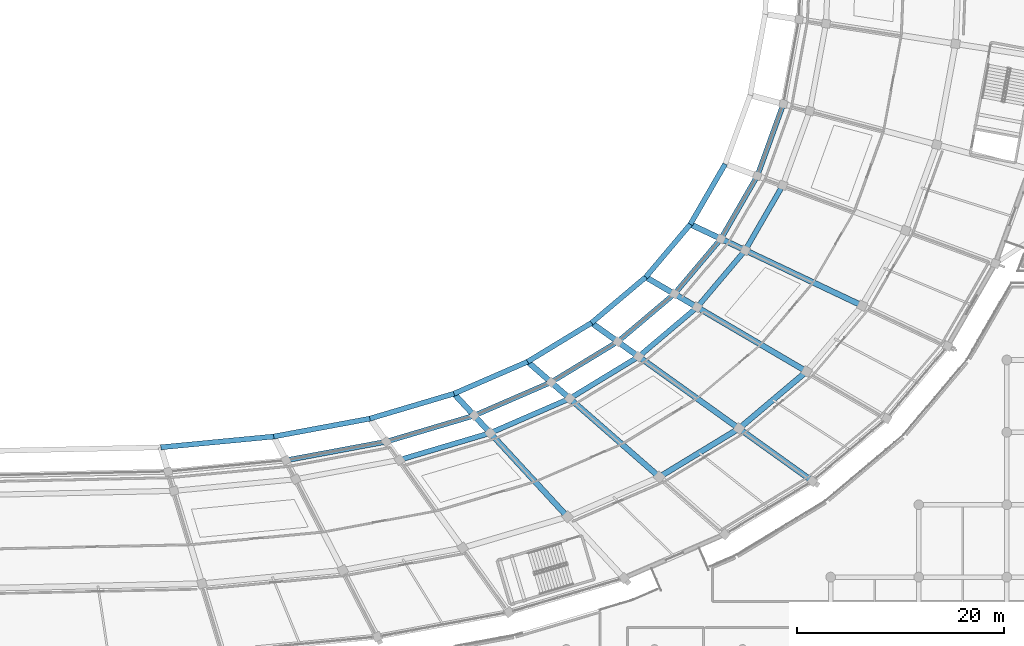
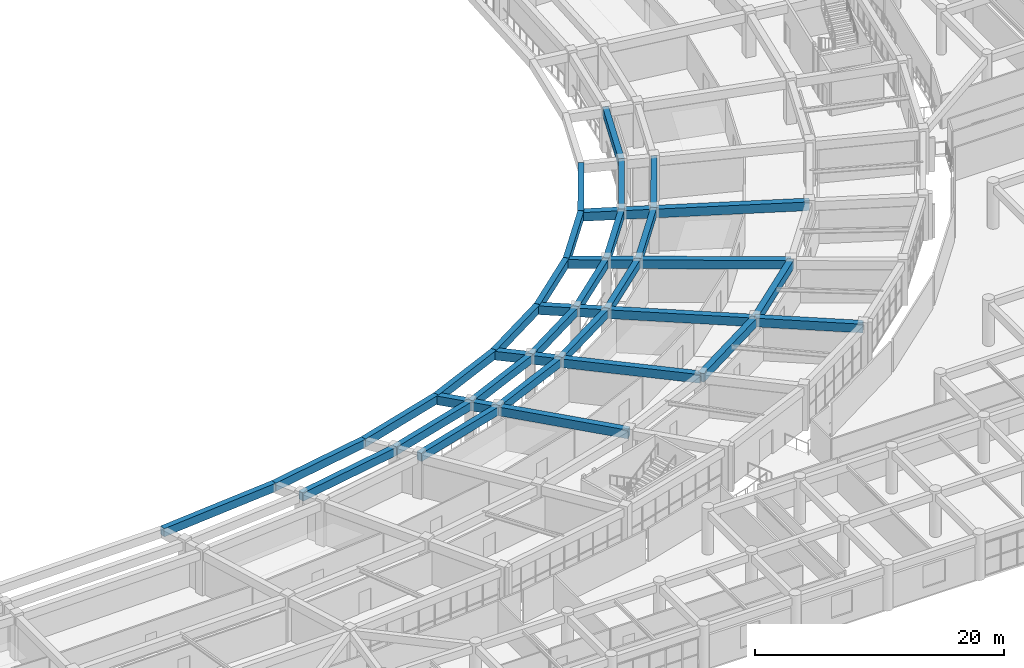
# One storey, part 40 of 145: 30 beams.
"""IFC4 building model written with IfcOpenShell, lengths in metres."""

from ifc_helpers import new_model, si_unit, direction, frame, origin, origin_2d, place, context, subcontext, project, spatial, rectangle, extrude, material, material_profile, profile_set, type_object, element, save


model = new_model("IFC4")

# Units and contexts
model_context = context("Model", 3, precision=1e-05, world=origin(), true_north=direction((0.0, 1.0)))
body_context = subcontext(model_context, "Body", "Model", "MODEL_VIEW")
ifc_project = project(units=[si_unit("LENGTHUNIT", "METRE"), si_unit("AREAUNIT", "SQUARE_METRE"), si_unit("VOLUMEUNIT", "CUBIC_METRE"), si_unit("PLANEANGLEUNIT", "RADIAN"), si_unit("MASSUNIT", "GRAM", prefix="KILO")], contexts=[model_context])

# Site, building, storey
site_placement = place(None, origin())
site = spatial("IfcSite", under=ifc_project, at=site_placement, CompositionType="ELEMENT")
building_placement = place(site_placement, origin())
building = spatial("IfcBuilding", under=site, at=building_placement, Name="Mphavela Belvedere Stadium", CompositionType="ELEMENT")
storey_placement = place(building_placement, frame((0.0, 0.0, 10.199951171875)))
storey = spatial("IfcBuildingStorey", under=building, at=storey_placement, Name="L02", CompositionType="ELEMENT", Elevation=10.199951171875)

# Beams
ifc_material_1 = material(Name="Concrete C40/50", Category="concrete")
ifc_material_profile_1 = material_profile(ifc_material_1, rectangle(XDim=0.5, YDim=0.800048828125, at=origin_2d()), Name="RC 500x800")
ifc_profile_set_1 = profile_set([ifc_material_profile_1], Name="Concrete C40/50")
beam_type_1 = type_object("IfcBeamType", Name="BM-RC500x800", PredefinedType="BEAM", material=ifc_profile_set_1)
beam_1_placement = place(storey_placement, frame((143.25927734375, 32.294189453125, 3.85009765625), z_axis=(0.983092994202, 0.183106976248, 0.0), x_axis=(-0.183106976248, 0.983092994202, 0.0)))
element("IfcBeam", 1, at=beam_1_placement, inside=storey, type_object=beam_type_1, Name="Circumferential girder L02 R1-39", PredefinedType="BEAM", context=body_context, shape_type="SweptSolid", body=[
    extrude(rectangle(XDim=0.5, YDim=0.800048828125, at=origin_2d()), origin(), (0.0, 0.0, 1.0), 9.869140625),
])
beam_2_placement = place(storey_placement, frame((152.961669921875, 34.101318359375, 3.85009765625), z_axis=(0.958656973737, 0.284564240033, 0.0), x_axis=(-0.284564240033, 0.958656973737, 0.0)))
element("IfcBeam", 2, at=beam_2_placement, inside=storey, type_object=beam_type_1, Name="Circumferential girder L02 R1-40", PredefinedType="BEAM", context=body_context, shape_type="SweptSolid", body=[
    extrude(rectangle(XDim=0.5, YDim=0.800048828125, at=origin_2d()), origin(), (0.0, 0.0, 1.0), 8.854736328125),
])
beam_3_placement = place(storey_placement, frame((154.230224609375, 32.33349609375, 3.85009765625), z_axis=(0.958656419443, 0.284566107363, 0.0), x_axis=(-0.284566107363, 0.958656419443, 0.0)))
element("IfcBeam", 3, at=beam_3_placement, inside=storey, type_object=beam_type_1, Name="Circumferential girder L02 R2-40", PredefinedType="BEAM", context=body_context, shape_type="SweptSolid", body=[
    extrude(rectangle(XDim=0.5, YDim=0.800048828125, at=origin_2d()), origin(), (0.0, 0.0, 1.0), 9.15087890625),
])
beam_4_placement = place(storey_placement, frame((161.450439453125, 36.62109375, 3.85009765625), z_axis=(0.917503251148, 0.397728279273, 0.0), x_axis=(-0.397728279273, 0.917503251148, 0.0)))
element("IfcBeam", 4, at=beam_4_placement, inside=storey, type_object=beam_type_1, Name="Circumferential girder L02 R1-41", PredefinedType="BEAM", context=body_context, shape_type="SweptSolid", body=[
    extrude(rectangle(XDim=0.5, YDim=0.800048828125, at=origin_2d()), origin(), (0.0, 0.0, 1.0), 8.107666015625),
])
beam_5_placement = place(storey_placement, frame((163.002685546875, 34.9375, 3.85009765625), z_axis=(0.917495728928, 0.397745631526, 0.0), x_axis=(-0.397745631526, 0.917495728928, 0.0)))
element("IfcBeam", 5, at=beam_5_placement, inside=storey, type_object=beam_type_1, Name="Circumferential girder L02 R2-41", PredefinedType="BEAM", context=body_context, shape_type="SweptSolid", body=[
    extrude(rectangle(XDim=0.5, YDim=0.800048828125, at=origin_2d()), origin(), (0.0, 0.0, 1.0), 8.37841796875),
])
beam_6_placement = place(storey_placement, frame((168.88916015625, 39.845703125, 3.85009765625), z_axis=(0.854325951403, 0.51973759606, 0.0), x_axis=(-0.51973759606, 0.854325951403, 0.0)))
element("IfcBeam", 6, at=beam_6_placement, inside=storey, type_object=beam_type_1, Name="Circumferential girder L02 R1-42", PredefinedType="BEAM", context=body_context, shape_type="SweptSolid", body=[
    extrude(rectangle(XDim=0.5, YDim=0.800048828125, at=origin_2d()), origin(), (0.0, 0.0, 1.0), 7.5478515625),
])
beam_7_placement = place(storey_placement, frame((170.68994140625, 38.27001953125, 3.85009765625), z_axis=(0.854328477138, 0.519733444326, 0.0), x_axis=(-0.519733444326, 0.854328477138, 0.0)))
element("IfcBeam", 7, at=beam_7_placement, inside=storey, type_object=beam_type_1, Name="Circumferential girder L02 R2-42", PredefinedType="BEAM", context=body_context, shape_type="SweptSolid", body=[
    extrude(rectangle(XDim=0.5, YDim=0.800048828125, at=origin_2d()), origin(), (0.0, 0.0, 1.0), 7.800048828125),
])
beam_8_placement = place(storey_placement, frame((175.33740234375, 43.7685546875, 3.85009765625), z_axis=(0.76425683958, 0.644911996442, 0.0), x_axis=(-0.644911996442, 0.76425683958, 0.0)))
element("IfcBeam", 8, at=beam_8_placement, inside=storey, type_object=beam_type_1, Name="Circumferential girder L02 R1-43", PredefinedType="BEAM", context=body_context, shape_type="SweptSolid", body=[
    extrude(rectangle(XDim=0.5, YDim=0.800048828125, at=origin_2d()), origin(), (0.0, 0.0, 1.0), 7.1640625),
])
beam_9_placement = place(storey_placement, frame((177.353759765625, 42.323974609375, 3.85009765625), z_axis=(0.764257451296, 0.644911271523, 0.0), x_axis=(-0.644911271523, 0.764257451296, 0.0)))
element("IfcBeam", 9, at=beam_9_placement, inside=storey, type_object=beam_type_1, Name="Circumferential girder L02 R2-43", PredefinedType="BEAM", context=body_context, shape_type="SweptSolid", body=[
    extrude(rectangle(XDim=0.5, YDim=0.800048828125, at=origin_2d()), origin(), (0.0, 0.0, 1.0), 7.4033203125),
])
beam_10_placement = place(storey_placement, frame((180.8125, 48.388671875, 3.85009765625), z_axis=(0.645159025586, 0.764048317651, 0.0), x_axis=(-0.764048317651, 0.645159025586, 0.0)))
element("IfcBeam", 10, at=beam_10_placement, inside=storey, type_object=beam_type_1, Name="Circumferential girder L02 R1-44", PredefinedType="BEAM", context=body_context, shape_type="SweptSolid", body=[
    extrude(rectangle(XDim=0.5, YDim=0.800048828125, at=origin_2d()), origin(), (0.0, 0.0, 1.0), 6.975830078125),
])
beam_11_placement = place(storey_placement, frame((183.01171875, 47.098388671875, 3.85009765625), z_axis=(0.645167637984, 0.764041045297, 0.0), x_axis=(-0.764041045297, 0.645167637984, 0.0)))
element("IfcBeam", 11, at=beam_11_placement, inside=storey, type_object=beam_type_1, Name="Circumferential girder L02 R2-44", PredefinedType="BEAM", context=body_context, shape_type="SweptSolid", body=[
    extrude(rectangle(XDim=0.5, YDim=0.800048828125, at=origin_2d()), origin(), (0.0, 0.0, 1.0), 7.208740234375),
])
beam_12_placement = place(storey_placement, frame((185.31298828125, 53.718505859375, 3.85009765625), z_axis=(0.500559513075, 0.86570212768, 0.0), x_axis=(-0.86570212768, 0.500559513075, 0.0)))
element("IfcBeam", 12, at=beam_12_placement, inside=storey, type_object=beam_type_1, Name="Circumferential girder L02 R1-45", PredefinedType="BEAM", context=body_context, shape_type="SweptSolid", body=[
    extrude(rectangle(XDim=0.5, YDim=0.800048828125, at=origin_2d()), origin(), (0.0, 0.0, 1.0), 7.02587890625),
])
beam_13_placement = place(storey_placement, frame((187.66259765625, 52.606201171875, 3.85009765625), z_axis=(0.500568314135, 0.86569703874, 0.0), x_axis=(-0.86569703874, 0.500568314135, 0.0)))
element("IfcBeam", 13, at=beam_13_placement, inside=storey, type_object=beam_type_1, Name="Circumferential girder L02 R2-45", PredefinedType="BEAM", context=body_context, shape_type="SweptSolid", body=[
    extrude(rectangle(XDim=0.5, YDim=0.800048828125, at=origin_2d()), origin(), (0.0, 0.0, 1.0), 7.2607421875),
])
beam_14_placement = place(storey_placement, frame((188.829833984375, 59.80078125, 3.85009765625), z_axis=(0.341037858277, 0.940049562109, 0.0), x_axis=(-0.940049562109, 0.341037858277, 0.0)))
element("IfcBeam", 14, at=beam_14_placement, inside=storey, type_object=beam_type_1, Name="Circumferential girder L02 R1-46", PredefinedType="BEAM", context=body_context, shape_type="SweptSolid", body=[
    extrude(rectangle(XDim=0.5, YDim=0.800048828125, at=origin_2d()), origin(), (0.0, 0.0, 1.0), 7.39501953125),
])
beam_15_placement = place(storey_placement, frame((131.14794921875, 33.5546875, 3.85009765625), z_axis=(0.995484465186, 0.094924599412, 0.0), x_axis=(-0.094924599412, 0.995484465186, 0.0)))
element("IfcBeam", 15, at=beam_15_placement, inside=storey, type_object=beam_type_1, Name="Upper tier front sightline ring beam 38", PredefinedType="BEAM", context=body_context, shape_type="SweptSolid", body=[
    extrude(rectangle(XDim=0.5, YDim=0.800048828125, at=origin_2d()), origin(), (0.0, 0.0, 1.0), 10.971923828125),
])
beam_16_placement = place(storey_placement, frame((142.0703125, 34.59619140625, 3.85009765625), z_axis=(0.983094824356, 0.18309714996, 0.0), x_axis=(-0.18309714996, 0.983094824356, 0.0)))
element("IfcBeam", 16, at=beam_16_placement, inside=storey, type_object=beam_type_1, Name="Upper tier front sightline ring beam 39", PredefinedType="BEAM", context=body_context, shape_type="SweptSolid", body=[
    extrude(rectangle(XDim=0.5, YDim=0.800048828125, at=origin_2d()), origin(), (0.0, 0.0, 1.0), 9.453857421875),
])
beam_17_placement = place(storey_placement, frame((151.3642578125, 36.3271484375, 3.85009765625), z_axis=(0.958654841276, 0.284571423896, 0.0), x_axis=(-0.284571423896, 0.958654841276, 0.0)))
element("IfcBeam", 17, at=beam_17_placement, inside=storey, type_object=beam_type_1, Name="Upper tier front sightline ring beam 40", PredefinedType="BEAM", context=body_context, shape_type="SweptSolid", body=[
    extrude(rectangle(XDim=0.5, YDim=0.800048828125, at=origin_2d()), origin(), (0.0, 0.0, 1.0), 8.482177734375),
])
beam_18_placement = place(storey_placement, frame((159.495849609375, 38.740966796875, 3.85009765625), z_axis=(0.917506303716, 0.397721237353, 0.0), x_axis=(-0.397721237353, 0.917506303716, 0.0)))
element("IfcBeam", 18, at=beam_18_placement, inside=storey, type_object=beam_type_1, Name="Upper tier front sightline ring beam 41", PredefinedType="BEAM", context=body_context, shape_type="SweptSolid", body=[
    extrude(rectangle(XDim=0.5, YDim=0.800048828125, at=origin_2d()), origin(), (0.0, 0.0, 1.0), 7.766357421875),
])
beam_19_placement = place(storey_placement, frame((166.62158203125, 41.829833984375, 3.85009765625), z_axis=(0.854327633962, 0.519734830321, 0.0), x_axis=(-0.519734830321, 0.854327633962, 0.0)))
element("IfcBeam", 19, at=beam_19_placement, inside=storey, type_object=beam_type_1, Name="Upper tier front sightline ring beam 42", PredefinedType="BEAM", context=body_context, shape_type="SweptSolid", body=[
    extrude(rectangle(XDim=0.5, YDim=0.800048828125, at=origin_2d()), origin(), (0.0, 0.0, 1.0), 7.230224609375),
])
beam_20_placement = place(storey_placement, frame((172.798583984375, 45.587646484375, 3.85009765625), z_axis=(0.764246549785, 0.644924190229, 0.0), x_axis=(-0.644924190229, 0.764246549785, 0.0)))
element("IfcBeam", 20, at=beam_20_placement, inside=storey, type_object=beam_type_1, Name="Upper tier front sightline ring beam 43", PredefinedType="BEAM", context=body_context, shape_type="SweptSolid", body=[
    extrude(rectangle(XDim=0.5, YDim=0.800048828125, at=origin_2d()), origin(), (0.0, 0.0, 1.0), 6.862548828125),
])
beam_21_placement = place(storey_placement, frame((178.043212890625, 50.013427734375, 3.85009765625), z_axis=(0.645180343886, 0.764030316063, 0.0), x_axis=(-0.764030316063, 0.645180343886, 0.0)))
element("IfcBeam", 21, at=beam_21_placement, inside=storey, type_object=beam_type_1, Name="Upper tier front sightline ring beam 44", PredefinedType="BEAM", context=body_context, shape_type="SweptSolid", body=[
    extrude(rectangle(XDim=0.5, YDim=0.800048828125, at=origin_2d()), origin(), (0.0, 0.0, 1.0), 6.682373046875),
])
beam_22_placement = place(storey_placement, frame((182.3544921875, 55.118896484375, 3.85009765625), z_axis=(0.500531411911, 0.865718375507, 0.0), x_axis=(-0.865718375507, 0.500531411911, 0.0)))
element("IfcBeam", 22, at=beam_22_placement, inside=storey, type_object=beam_type_1, Name="Upper tier front sightline ring beam 45", PredefinedType="BEAM", context=body_context, shape_type="SweptSolid", body=[
    extrude(rectangle(XDim=0.5, YDim=0.800048828125, at=origin_2d()), origin(), (0.0, 0.0, 1.0), 6.730224609375),
])
ifc_material_2 = material(Name="Concrete C40/50", Category="concrete")
ifc_material_profile_2 = material_profile(ifc_material_2, rectangle(XDim=0.550048828125, YDim=0.85009765625, at=origin_2d()), Name="RC 550x850")
ifc_profile_set_2 = profile_set([ifc_material_profile_2], Name="Concrete C40/50")
beam_type_2 = type_object("IfcBeamType", Name="BM-RC550x850", PredefinedType="BEAM", material=ifc_profile_set_2)
beam_23_placement = place(storey_placement, frame((179.360107421875, 30.68310546875, 3.824951171875), z_axis=(0.854315160357, 0.519755333579, 0.0), x_axis=(-0.519755333579, 0.854315160357, 0.0)))
element("IfcBeam", 23, at=beam_23_placement, inside=storey, type_object=beam_type_2, Name="Circumferential girder L02 R3-42", PredefinedType="BEAM", context=body_context, shape_type="SweptSolid", body=[
    extrude(rectangle(XDim=0.550048828125, YDim=0.85009765625, at=origin_2d()), origin(), (0.0, 0.0, 1.0), 9.014404296875),
])
beam_24_placement = place(storey_placement, frame((187.061279296875, 35.368408203125, 3.824951171875), z_axis=(0.764263355392, 0.644904274761, 0.0), x_axis=(-0.644904274761, 0.764263355392, 0.0)))
element("IfcBeam", 24, at=beam_24_placement, inside=storey, type_object=beam_type_2, Name="Circumferential girder L02 R3-43", PredefinedType="BEAM", context=body_context, shape_type="SweptSolid", body=[
    extrude(rectangle(XDim=0.550048828125, YDim=0.85009765625, at=origin_2d()), origin(), (0.0, 0.0, 1.0), 8.55615234375),
])
beam_25_placement = place(storey_placement, frame((187.061279296875, 35.368408203125, 3.824951171875), z_axis=(0.812882024932, -0.582428376319, 0.0), x_axis=(0.582428376319, 0.812882024932, 0.0)))
element("IfcBeam", 25, at=beam_25_placement, inside=storey, type_object=beam_type_2, Name="Radial concourse girder L02 R3R4-43", PredefinedType="BEAM", context=body_context, shape_type="SweptSolid", body=[
    extrude(rectangle(XDim=0.550048828125, YDim=0.85009765625, at=origin_2d()), origin(), (0.0, 0.0, 1.0), 8.727294921875),
])
beam_26_placement = place(storey_placement, frame((159.495849609375, 38.740966796875, 3.824951171875), z_axis=(0.6778668467, -0.73518469662, 0.0), x_axis=(0.73518469662, 0.6778668467, 0.0)))
element("IfcBeam", 26, at=beam_26_placement, inside=storey, type_object=beam_type_2, Name="Upper tier box-front outrigger girder 41", PredefinedType="BEAM", context=body_context, shape_type="SweptSolid", body=[
    extrude(rectangle(XDim=0.550048828125, YDim=0.85009765625, at=origin_2d()), origin(), (0.0, 0.0, 1.0), 16.198486328125),
])
beam_27_placement = place(storey_placement, frame((166.62158203125, 41.829833984375, 3.824951171875), z_axis=(0.752561505429, -0.65852196664, 0.0), x_axis=(0.65852196664, 0.752561505429, 0.0)))
element("IfcBeam", 27, at=beam_27_placement, inside=storey, type_object=beam_type_2, Name="Upper tier box-front outrigger girder 42", PredefinedType="BEAM", context=body_context, shape_type="SweptSolid", body=[
    extrude(rectangle(XDim=0.550048828125, YDim=0.85009765625, at=origin_2d()), origin(), (0.0, 0.0, 1.0), 16.927001953125),
])
beam_28_placement = place(storey_placement, frame((172.798583984375, 45.587646484375, 3.824951171875), z_axis=(0.812880808861, -0.582430073559, 0.0), x_axis=(0.582430073559, 0.812880808861, 0.0)))
element("IfcBeam", 28, at=beam_28_placement, inside=storey, type_object=beam_type_2, Name="Upper tier box-front outrigger girder 43", PredefinedType="BEAM", context=body_context, shape_type="SweptSolid", body=[
    extrude(rectangle(XDim=0.550048828125, YDim=0.85009765625, at=origin_2d()), origin(), (0.0, 0.0, 1.0), 17.5458984375),
])
beam_29_placement = place(storey_placement, frame((178.043212890625, 50.013427734375, 3.824951171875), z_axis=(0.862516477439, -0.506028977575, 0.0), x_axis=(0.506028977575, 0.862516477439, 0.0)))
element("IfcBeam", 29, at=beam_29_placement, inside=storey, type_object=beam_type_2, Name="Upper tier box-front outrigger girder 44", PredefinedType="BEAM", context=body_context, shape_type="SweptSolid", body=[
    extrude(rectangle(XDim=0.550048828125, YDim=0.85009765625, at=origin_2d()), origin(), (0.0, 0.0, 1.0), 18.036865234375),
])
beam_30_placement = place(storey_placement, frame((182.3544921875, 55.118896484375, 3.824951171875), z_axis=(0.903863235866, -0.427821517517, 0.0), x_axis=(0.427821517517, 0.903863235866, 0.0)))
element("IfcBeam", 30, at=beam_30_placement, inside=storey, type_object=beam_type_2, Name="Upper tier box-front outrigger girder 45", PredefinedType="BEAM", context=body_context, shape_type="SweptSolid", body=[
    extrude(rectangle(XDim=0.550048828125, YDim=0.85009765625, at=origin_2d()), origin(), (0.0, 0.0, 1.0), 18.388916015625),
])

save(model, "model.ifc")
